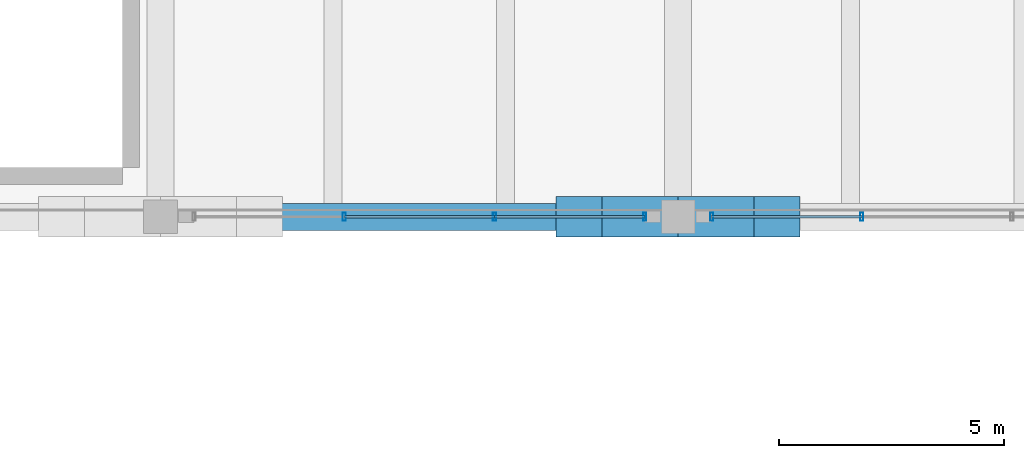
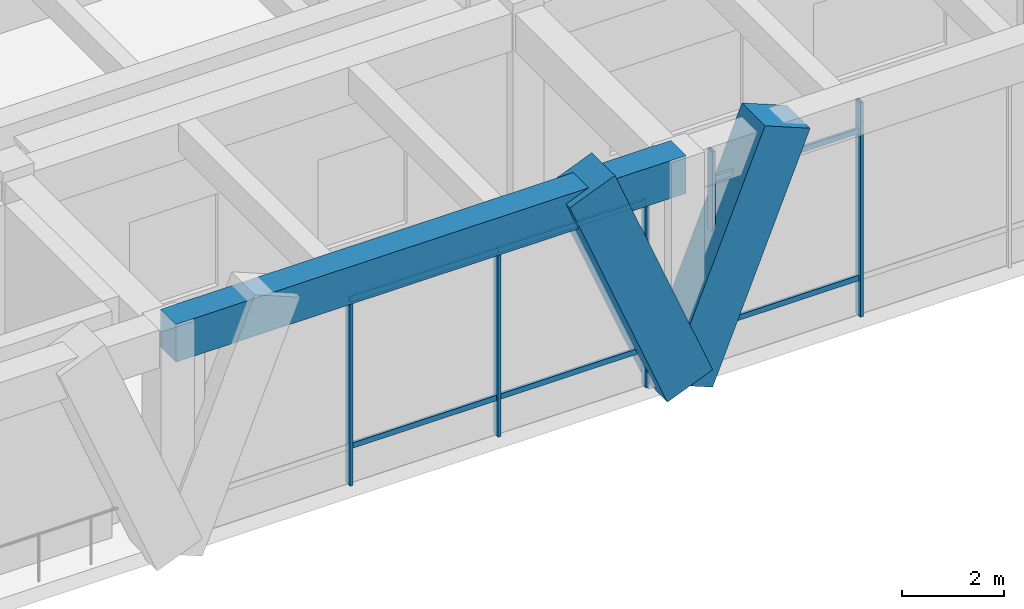
# One storey, part 49 of 148: 13 members, 1 beam, 2 elements without a shape of their own.
"""IFC4 building model written with IfcOpenShell, lengths in metres."""

from ifc_helpers import new_model, si_unit, direction, frame, origin, origin_2d, place, context, subcontext, project, spatial, rectangle, hollow_rectangle, extrude, material, material_profile, profile_set, type_object, element, aggregate, save


model = new_model("IFC4")

# Units and contexts
model_context = context("Model", 3, precision=1e-05, world=origin(), true_north=direction((0.0, 1.0)))
body_context = subcontext(model_context, "Body", "Model", "MODEL_VIEW")
ifc_project = project(units=[si_unit("LENGTHUNIT", "METRE"), si_unit("AREAUNIT", "SQUARE_METRE"), si_unit("VOLUMEUNIT", "CUBIC_METRE"), si_unit("PLANEANGLEUNIT", "RADIAN"), si_unit("MASSUNIT", "GRAM", prefix="KILO")], contexts=[model_context])

# Site, building, storey
site_placement = place(None, origin())
site = spatial("IfcSite", under=ifc_project, at=site_placement, CompositionType="ELEMENT")
building_placement = place(site_placement, origin())
building = spatial("IfcBuilding", under=site, at=building_placement, Name="Ologun Quay Terminus", CompositionType="ELEMENT")
storey_placement = place(building_placement, frame((0.0, 0.0, 8.39990234375)))
storey = spatial("IfcBuildingStorey", under=building, at=storey_placement, Name="L02", CompositionType="ELEMENT", Elevation=8.39990234375)

# Curtain wall, members
ifc_material_1 = material(Name="Aluminium 6063-T6", Category="aluminium")
curtain_wall_type = type_object("IfcCurtainWallType", Name="Train Shed North Clerestory Curtain Wall 10700x4850", PredefinedType="USERDEFINED", material=ifc_material_1)
curtain_wall_1_placement = place(storey_placement, origin())
curtain_wall_1 = element("IfcCurtainWall", 1, at=curtain_wall_1_placement, inside=storey, type_object=curtain_wall_type, Name="CW-09 Curtain Wall CW-L02-047", ObjectType="UNITISED CURTAIN WALL", PredefinedType="USERDEFINED")
ifc_material_2 = material(Name="Aluminium 6063-T6", Category="aluminium")
ifc_material_profile_1 = material_profile(ifc_material_2, hollow_rectangle(XDim=0.070068359375, YDim=0.179931640625, WallThickness=0.0048828125, at=origin_2d()), Name="ALU 180x70x5")
ifc_profile_set_1 = profile_set([ifc_material_profile_1], Name="Aluminium 6063-T6")
member_type_1 = type_object("IfcMemberType", Name="Concourse Clerestory Mullion 180x70", PredefinedType="MULLION", material=ifc_profile_set_1)
member_1_placement = place(storey_placement, frame((15.581787109375, 78.0, 0.0), z_axis=(0.0, 0.0, 1.0), x_axis=(1.0, 0.0, 0.0)))
member_1 = element("IfcMember", 2, at=member_1_placement, type_object=member_type_1, Name="CW-L02-047 Mullion 2", PredefinedType="MULLION", context=body_context, shape_type="SweptSolid", body=[
    extrude(hollow_rectangle(XDim=0.070068359375, YDim=0.179931640625, WallThickness=0.0048828125, at=origin_2d()), origin(), (0.0, 0.0, 1.0), 5.10009765625),
])
member_2_placement = place(storey_placement, frame((18.918212890625, 78.0, 0.0), z_axis=(0.0, 0.0, 1.0), x_axis=(1.0, 0.0, 0.0)))
member_2 = element("IfcMember", 3, at=member_2_placement, type_object=member_type_1, Name="CW-L02-047 Mullion 3", PredefinedType="MULLION", context=body_context, shape_type="SweptSolid", body=[
    extrude(hollow_rectangle(XDim=0.070068359375, YDim=0.179931640625, WallThickness=0.0048828125, at=origin_2d()), origin(), (0.0, 0.0, 1.0), 5.10009765625),
])
member_3_placement = place(storey_placement, frame((22.2548828125, 78.0, 0.0), z_axis=(0.0, 0.0, 1.0), x_axis=(1.0, 0.0, 0.0)))
member_3 = element("IfcMember", 4, at=member_3_placement, type_object=member_type_1, Name="CW-L02-047 Mullion 4", PredefinedType="MULLION", context=body_context, shape_type="SweptSolid", body=[
    extrude(hollow_rectangle(XDim=0.070068359375, YDim=0.179931640625, WallThickness=0.0048828125, at=origin_2d()), origin(), (0.0, 0.0, 1.0), 5.10009765625),
])

curtain_wall_2_placement = place(storey_placement, origin())
curtain_wall_2 = element("IfcCurtainWall", 5, at=curtain_wall_2_placement, inside=storey, type_object=curtain_wall_type, Name="CW-09 Curtain Wall CW-L02-049", ObjectType="UNITISED CURTAIN WALL", PredefinedType="USERDEFINED")
member_4_placement = place(storey_placement, frame((23.7451171875, 78.0, 0.0), z_axis=(0.0, 0.0, 1.0), x_axis=(1.0, 0.0, 0.0)))
member_4 = element("IfcMember", 6, at=member_4_placement, type_object=member_type_1, Name="CW-L02-049 Mullion 1", PredefinedType="MULLION", context=body_context, shape_type="SweptSolid", body=[
    extrude(hollow_rectangle(XDim=0.070068359375, YDim=0.179931640625, WallThickness=0.0048828125, at=origin_2d()), origin(), (0.0, 0.0, 1.0), 5.10009765625),
])
member_5_placement = place(storey_placement, frame((27.081787109375, 78.0, 0.0), z_axis=(0.0, 0.0, 1.0), x_axis=(1.0, 0.0, 0.0)))
member_5 = element("IfcMember", 7, at=member_5_placement, type_object=member_type_1, Name="CW-L02-049 Mullion 2", PredefinedType="MULLION", context=body_context, shape_type="SweptSolid", body=[
    extrude(hollow_rectangle(XDim=0.070068359375, YDim=0.179931640625, WallThickness=0.0048828125, at=origin_2d()), origin(), (0.0, 0.0, 1.0), 5.10009765625),
])

# Member
ifc_material_3 = material(Name="Aluminium 6063-T6", Category="aluminium")
ifc_material_profile_2 = material_profile(ifc_material_3, hollow_rectangle(XDim=0.06005859375, YDim=0.1298828125, WallThickness=0.00390625, at=origin_2d()), Name="ALU 130x60x4")
ifc_profile_set_2 = profile_set([ifc_material_profile_2], Name="Aluminium 6063-T6")
member_type_2 = type_object("IfcMemberType", Name="Concourse Clerestory Transom 130x60", PredefinedType="USERDEFINED", material=ifc_profile_set_2)
member_6_placement = place(storey_placement, frame((15.581787109375, 78.0, 0.900146484375), z_axis=(1.0, 0.0, 0.0), x_axis=(0.0, 1.0, 0.0)))
member_6 = element("IfcMember", 8, at=member_6_placement, type_object=member_type_2, Name="CW-L02-047 Transom B2-1", ObjectType="TRANSOM", PredefinedType="USERDEFINED", context=body_context, shape_type="SweptSolid", body=[
    extrude(hollow_rectangle(XDim=0.06005859375, YDim=0.1298828125, WallThickness=0.00390625, at=origin_2d()), origin(), (0.0, 0.0, 1.0), 3.33642578125),
])

member_7_placement = place(storey_placement, frame((15.581787109375, 78.0, 4.400146484375), z_axis=(1.0, 0.0, 0.0), x_axis=(0.0, 1.0, 0.0)))
member_7 = element("IfcMember", 9, at=member_7_placement, type_object=member_type_2, Name="CW-L02-047 Transom B2-2", ObjectType="TRANSOM", PredefinedType="USERDEFINED", context=body_context, shape_type="SweptSolid", body=[
    extrude(hollow_rectangle(XDim=0.06005859375, YDim=0.1298828125, WallThickness=0.00390625, at=origin_2d()), origin(), (0.0, 0.0, 1.0), 3.33642578125),
])

member_8_placement = place(storey_placement, frame((18.918212890625, 78.0, 0.900146484375), z_axis=(1.0, 0.0, 0.0), x_axis=(0.0, 1.0, 0.0)))
member_8 = element("IfcMember", 10, at=member_8_placement, type_object=member_type_2, Name="CW-L02-047 Transom B3-1", ObjectType="TRANSOM", PredefinedType="USERDEFINED", context=body_context, shape_type="SweptSolid", body=[
    extrude(hollow_rectangle(XDim=0.06005859375, YDim=0.1298828125, WallThickness=0.00390625, at=origin_2d()), origin(), (0.0, 0.0, 1.0), 3.336669921875),
])

member_9_placement = place(storey_placement, frame((18.918212890625, 78.0, 4.400146484375), z_axis=(1.0, 0.0, 0.0), x_axis=(0.0, 1.0, 0.0)))
member_9 = element("IfcMember", 11, at=member_9_placement, type_object=member_type_2, Name="CW-L02-047 Transom B3-2", ObjectType="TRANSOM", PredefinedType="USERDEFINED", context=body_context, shape_type="SweptSolid", body=[
    extrude(hollow_rectangle(XDim=0.06005859375, YDim=0.1298828125, WallThickness=0.00390625, at=origin_2d()), origin(), (0.0, 0.0, 1.0), 3.336669921875),
])

aggregate(curtain_wall_1, [member_1, member_2, member_3, member_6, member_7, member_8, member_9])

member_10_placement = place(storey_placement, frame((23.7451171875, 78.0, 0.900146484375), z_axis=(1.0, 0.0, 0.0), x_axis=(0.0, 1.0, 0.0)))
member_10 = element("IfcMember", 12, at=member_10_placement, type_object=member_type_2, Name="CW-L02-049 Transom B1-1", ObjectType="TRANSOM", PredefinedType="USERDEFINED", context=body_context, shape_type="SweptSolid", body=[
    extrude(hollow_rectangle(XDim=0.06005859375, YDim=0.1298828125, WallThickness=0.00390625, at=origin_2d()), origin(), (0.0, 0.0, 1.0), 3.336669921875),
])

member_11_placement = place(storey_placement, frame((23.7451171875, 78.0, 4.400146484375), z_axis=(1.0, 0.0, 0.0), x_axis=(0.0, 1.0, 0.0)))
member_11 = element("IfcMember", 13, at=member_11_placement, type_object=member_type_2, Name="CW-L02-049 Transom B1-2", ObjectType="TRANSOM", PredefinedType="USERDEFINED", context=body_context, shape_type="SweptSolid", body=[
    extrude(hollow_rectangle(XDim=0.06005859375, YDim=0.1298828125, WallThickness=0.00390625, at=origin_2d()), origin(), (0.0, 0.0, 1.0), 3.336669921875),
])

aggregate(curtain_wall_2, [member_4, member_5, member_10, member_11])

# Members
ifc_material_4 = material(Name="Concrete C45/55", Category="concrete")
ifc_material_profile_3 = material_profile(ifc_material_4, rectangle(XDim=0.89990234375, YDim=1.10009765625, at=origin_2d()), Name="RC 900x1100")
ifc_profile_set_3 = profile_set([ifc_material_profile_3], Name="Concrete C45/55")
member_type_3 = type_object("IfcMemberType", Name="Sculpted Concrete Arch V-Buttress Strut 900x1100", PredefinedType="STRUT", material=ifc_profile_set_3)
for number, where, z_axis, x_axis, name in (
    (14, (23.0, 78.0, 0.0), (-0.377280927807, 0.0, 0.926098861631), (0.0, -1.0, 0.0), "VS1 Arch V-Buttress West Limb 3/F"),
    (15, (23.0, 78.0, 0.0), (0.377280927807, 0.0, 0.926098861631), (0.0, 1.0, 0.0), "VS1 Arch V-Buttress East Limb 3/F"),
):
    element("IfcMember", number, at=place(storey_placement, frame(where, z_axis=z_axis, x_axis=x_axis)), inside=storey, type_object=member_type_3, Name=name, PredefinedType="STRUT", context=body_context, shape_type="SweptSolid", body=[
        extrude(rectangle(XDim=0.89990234375, YDim=1.10009765625, at=origin_2d()), origin(), (0.0, 0.0, 1.0), 5.8310546875),
    ])

# Beam
ifc_material_5 = material(Name="Concrete C40/50", Category="concrete")
ifc_material_profile_4 = material_profile(ifc_material_5, rectangle(XDim=0.60009765625, YDim=0.89990234375, at=origin_2d()), Name="RC 600x900")
ifc_profile_set_4 = profile_set([ifc_material_profile_4], Name="Concrete C40/50")
beam_type = type_object("IfcBeamType", Name="Station Frame Girder 600x900", PredefinedType="BEAM", material=ifc_profile_set_4)
beam_placement = place(storey_placement, frame((11.5, 78.0, 4.9501953125), z_axis=(1.0, 0.0, 0.0), x_axis=(0.0, 1.0, 0.0)))
element("IfcBeam", 16, at=beam_placement, inside=storey, type_object=beam_type, Name="B3 Beam 2/F L02", PredefinedType="BEAM", context=body_context, shape_type="SweptSolid", body=[
    extrude(rectangle(XDim=0.60009765625, YDim=0.89990234375, at=origin_2d()), origin(), (0.0, 0.0, 1.0), 11.5),
])

save(model, "model.ifc")
